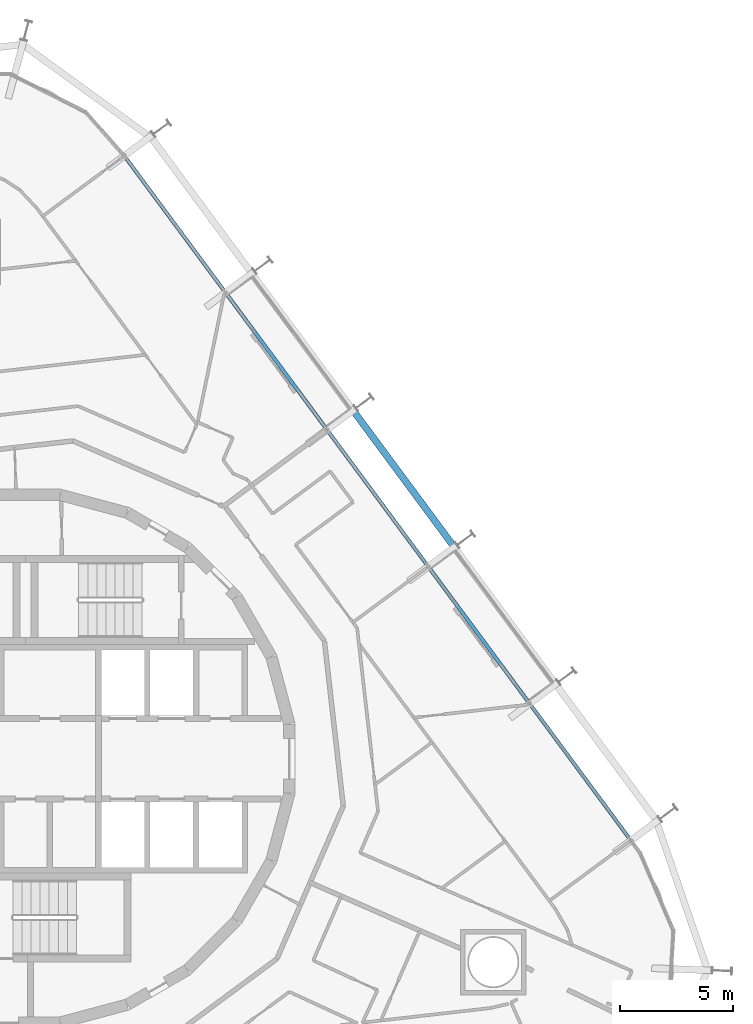
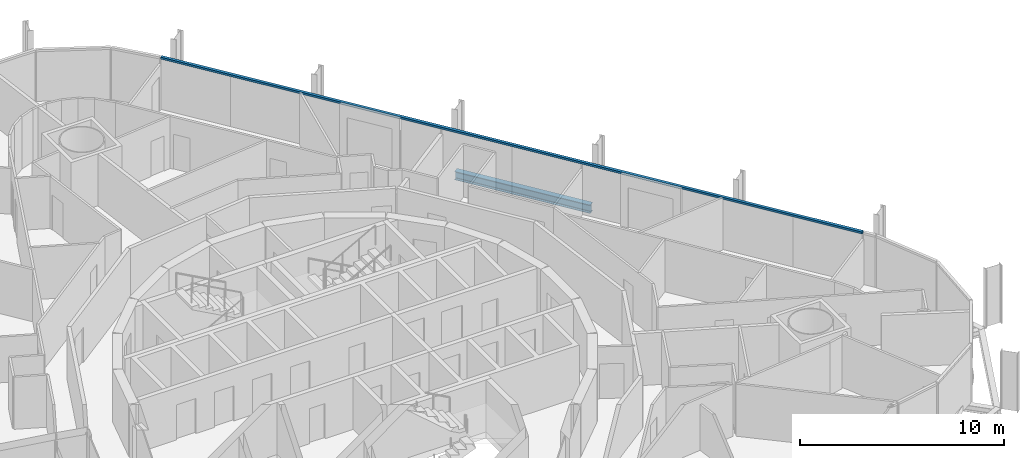
# One storey, part 10 of 23: 1 beam, 1 member, 1 element without a shape of its own.
"""IFC4 building model written with IfcOpenShell, lengths in metres."""

from ifc_helpers import new_model, si_unit, direction, frame, origin, origin_2d, place, context, subcontext, project, spatial, rectangle, i_section, extrude, material, layer, layer_set, material_profile, profile_set, type_object, element, aggregate, save


model = new_model("IFC4")

# Units and contexts
model_context = context("Model", 3, precision=1e-05, world=origin(), true_north=direction((0.0, 1.0)))
body_context = subcontext(model_context, "Body", "Model", "MODEL_VIEW")
ifc_project = project(units=[si_unit("LENGTHUNIT", "METRE"), si_unit("AREAUNIT", "SQUARE_METRE"), si_unit("VOLUMEUNIT", "CUBIC_METRE"), si_unit("PLANEANGLEUNIT", "RADIAN"), si_unit("MASSUNIT", "GRAM", prefix="KILO")], contexts=[model_context])

# Site, building, storey
site_placement = place(None, origin())
site = spatial("IfcSite", under=ifc_project, at=site_placement, CompositionType="ELEMENT")
building_placement = place(site_placement, origin())
building = spatial("IfcBuilding", under=site, at=building_placement, Name="Spindle Arch Residences", CompositionType="ELEMENT")
storey_placement = place(building_placement, frame((0.0, 0.0, 83.699951171875)))
storey = spatial("IfcBuildingStorey", under=building, at=storey_placement, Name="L19", CompositionType="ELEMENT", Elevation=83.699951171875)

# Curtain wall, member
ifc_material_1 = material(Name="Aluminium bronze unitised frame with tinted glass", Category="aluminium")
ifc_layer = layer(ifc_material_1, 0.159912109375)
ifc_layer_set = layer_set([ifc_layer], Name="CW-C typical residential unitised wall")
curtain_wall_type = type_object("IfcCurtainWallType", Name="CW-C typical residential unitised wall", PredefinedType="NOTDEFINED", material=ifc_layer_set)
curtain_wall_placement = place(storey_placement, origin())
curtain_wall = element("IfcCurtainWall", 1, at=curtain_wall_placement, inside=storey, type_object=curtain_wall_type, Name="CW-C L19 run 2", PredefinedType="NOTDEFINED")
ifc_material_2 = material(Name="Aluminium bronze anodised transom", Category="aluminium")
ifc_material_profile_1 = material_profile(ifc_material_2, rectangle(XDim=0.159912109375, YDim=0.1201171875, at=origin_2d()), Name="TR 120x160")
ifc_profile_set_1 = profile_set([ifc_material_profile_1], Name="Aluminium bronze anodised transom")
member_type = type_object("IfcMemberType", Name="Bronze transom 120x160", PredefinedType="USERDEFINED", material=ifc_profile_set_1)
member_placement = place(storey_placement, frame((26.707763671875, -3.583740234375, 3.06005859375), z_axis=(-0.594822410752, 0.803857138842, 0.0), x_axis=(-0.803857138842, -0.594822410752, 0.0)))
member = element("IfcMember", 2, at=member_placement, type_object=member_type, Name="CW-C transom 00", ObjectType="TRANSOM", PredefinedType="USERDEFINED", context=body_context, shape_type="SweptSolid", body=[
    extrude(rectangle(XDim=0.159912109375, YDim=0.1201171875, at=origin_2d()), origin(), (0.0, 0.0, 1.0), 37.5341796875),
])
aggregate(curtain_wall, [member])

# Beam
ifc_material_3 = material(Name="Steel S460ML, intumescent coating R 120", Category="steel")
ifc_material_profile_2 = material_profile(ifc_material_3, i_section(OverallWidth=0.300048828125, OverallDepth=0.5, WebThickness=0.014404296875, FlangeThickness=0.028076171875, FilletRadius=0.027099609375, at=origin_2d()), Name="HEB 500")
ifc_profile_set_2 = profile_set([ifc_material_profile_2], Name="Steel S460ML, intumescent coating R 120")
beam_type = type_object("IfcBeamType", Name="Exoskeleton edge beam HEB 500", PredefinedType="BEAM", material=ifc_profile_set_2)
beam_placement = place(storey_placement, frame((18.85546875, 9.437255859375, -0.6298828125), z_axis=(-0.59484300541, 0.803841899203, 0.0), x_axis=(-0.803841899203, -0.59484300541, 0.0)))
element("IfcBeam", 3, at=beam_placement, inside=storey, type_object=beam_type, Name="Exoskeleton edge beam 8", PredefinedType="BEAM", context=body_context, shape_type="SweptSolid", body=[
    extrude(i_section(OverallWidth=0.300048828125, OverallDepth=0.5, WebThickness=0.014404296875, FlangeThickness=0.028076171875, FilletRadius=0.027099609375, at=origin_2d()), origin(), (0.0, 0.0, 1.0), 7.2587890625),
])

save(model, "model.ifc")
